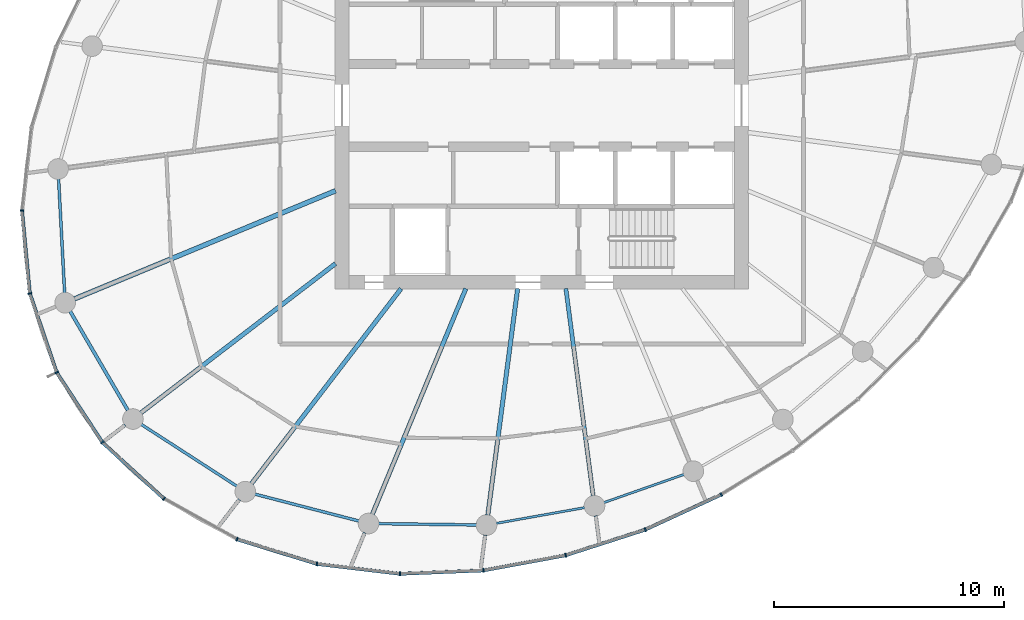
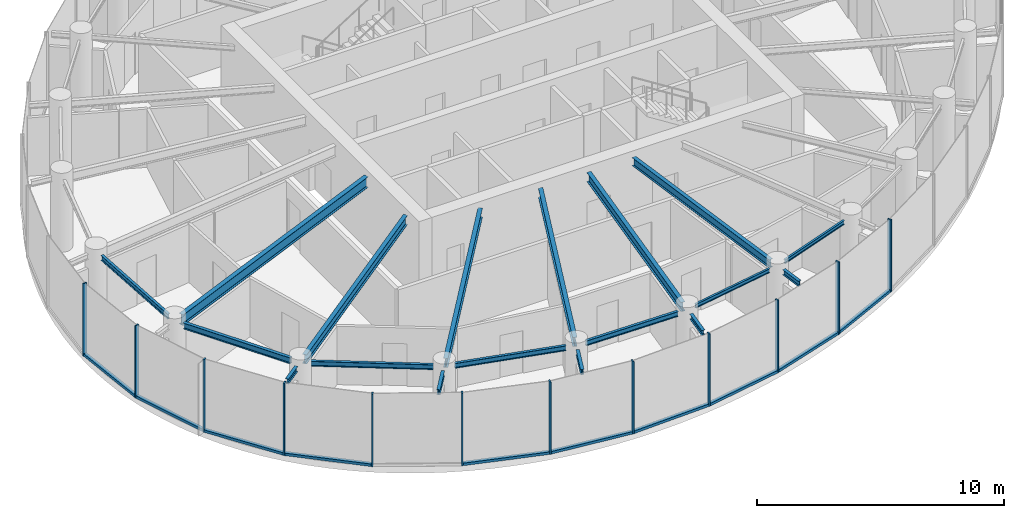
# One storey, part 2 of 15: 22 members, 18 beams, 3 elements without a shape of their own.
"""IFC4 building model written with IfcOpenShell, lengths in metres."""

from ifc_helpers import new_model, si_unit, direction, frame, origin, origin_2d, place, context, subcontext, project, spatial, rectangle, i_section, extrude, source, transform, mapped, material, layer, layer_set, material_profile, profile_set, type_object, element, aggregate, save


model = new_model("IFC4")

# Units and contexts
model_context = context("Model", 3, precision=1e-05, world=origin(), true_north=direction((0.0, 1.0)))
body_context = subcontext(model_context, "Body", "Model", "MODEL_VIEW")
ifc_project = project(units=[si_unit("LENGTHUNIT", "METRE"), si_unit("AREAUNIT", "SQUARE_METRE"), si_unit("VOLUMEUNIT", "CUBIC_METRE"), si_unit("PLANEANGLEUNIT", "RADIAN"), si_unit("MASSUNIT", "GRAM", prefix="KILO")], contexts=[model_context])

# Site, building, storey
site_placement = place(None, origin())
site = spatial("IfcSite", under=ifc_project, at=site_placement, CompositionType="ELEMENT")
building_placement = place(site_placement, origin())
building = spatial("IfcBuilding", under=site, at=building_placement, Name="Spindrift Exchange Tower", CompositionType="ELEMENT")
storey_placement = place(building_placement, frame((0.0, 0.0, 191.60009765625)))
storey = spatial("IfcBuildingStorey", under=building, at=storey_placement, Name="L46", CompositionType="ELEMENT", Elevation=191.60009765625)

# Beams
ifc_material_1 = material(Name="Steel Grade 300", Category="steel")
ifc_material_profile_1 = material_profile(ifc_material_1, i_section(OverallWidth=0.208984375, OverallDepth=0.528076171875, WebThickness=0.009521484375, FlangeThickness=0.01318359375, FilletRadius=0.013916015625, at=origin_2d()), Name="530UB82.0")
ifc_profile_set_1 = profile_set([ifc_material_profile_1], Name="Steel Grade 300")
beam_type_1 = type_object("IfcBeamType", Name="Floor Beam 530UB82.0 Steel Grade 300", PredefinedType="BEAM", material=ifc_profile_set_1)
shared_shape_1 = source(origin(), body_context, "Body", "SweptSolid", [
    extrude(i_section(OverallWidth=0.208984375, OverallDepth=0.528076171875, WebThickness=0.009521484375, FlangeThickness=0.01318359375, FilletRadius=0.013916015625, at=origin_2d()), origin(), (0.0, 0.0, 1.0), 12.3115234375),
])
beam_1_placement = place(storey_placement, frame((43.0185546875, 44.27978515625, 3.31591796875), z_axis=(-0.923878099838, -0.382686891126, 0.0), x_axis=(0.382686891126, -0.923878099838, 0.0)))
element("IfcBeam", 1, at=beam_1_placement, inside=storey, type_object=beam_type_1, Name="L46 radial beam R14A", PredefinedType="BEAM", context=body_context, shape_type="MappedRepresentation", body=[
    mapped(shared_shape_1, transform((0.0, 0.0, 0.0), scale=1.0)),
])
ifc_material_profile_2 = material_profile(ifc_material_1, i_section(OverallWidth=0.18994140625, OverallDepth=0.4541015625, WebThickness=0.008544921875, FlangeThickness=0.0126953125, FilletRadius=0.013916015625, at=origin_2d()), Name="460UB67.1")
ifc_profile_set_2 = profile_set([ifc_material_profile_2], Name="Steel Grade 300")
beam_type_2 = type_object("IfcBeamType", Name="Floor Beam 460UB67.1 Steel Grade 300", PredefinedType="BEAM", material=ifc_profile_set_2)
shared_shape_2 = source(origin(), body_context, "Body", "SweptSolid", [
    extrude(i_section(OverallWidth=0.18994140625, OverallDepth=0.4541015625, WebThickness=0.008544921875, FlangeThickness=0.0126953125, FilletRadius=0.013916015625, at=origin_2d()), origin(), (0.0, 0.0, 1.0), 10.684814453125),
])
beam_2_placement = place(storey_placement, frame((43.015869140625, 41.106201171875, 3.352783203125), z_axis=(-0.793357316898, -0.608756246559, 0.0), x_axis=(0.608756246559, -0.793357316898, 0.0)))
element("IfcBeam", 2, at=beam_2_placement, inside=storey, type_object=beam_type_2, Name="L46 radial beam R15A", PredefinedType="BEAM", context=body_context, shape_type="MappedRepresentation", body=[
    mapped(shared_shape_2, transform((0.0, 0.0, 0.0), scale=1.0)),
])
shared_shape_3 = source(origin(), body_context, "Body", "SweptSolid", [
    extrude(i_section(OverallWidth=0.18994140625, OverallDepth=0.4541015625, WebThickness=0.008544921875, FlangeThickness=0.0126953125, FilletRadius=0.013916015625, at=origin_2d()), origin(), (0.0, 0.0, 1.0), 10.711181640625),
])
beam_3_placement = place(storey_placement, frame((45.87353515625, 40.015869140625, 3.352783203125), z_axis=(-0.608756401092, -0.793357198322, 0.0), x_axis=(0.793357198322, -0.608756401092, 0.0)))
element("IfcBeam", 3, at=beam_3_placement, inside=storey, type_object=beam_type_2, Name="L46 radial beam R16A", PredefinedType="BEAM", context=body_context, shape_type="MappedRepresentation", body=[
    mapped(shared_shape_3, transform((0.0, 0.0, 0.0), scale=1.0)),
])
shared_shape_4 = source(origin(), body_context, "Body", "SweptSolid", [
    extrude(i_section(OverallWidth=0.18994140625, OverallDepth=0.4541015625, WebThickness=0.008544921875, FlangeThickness=0.0126953125, FilletRadius=0.013916015625, at=origin_2d()), origin(), (0.0, 0.0, 1.0), 10.64111328125),
])
beam_4_placement = place(storey_placement, frame((48.69384765625, 40.0185546875, 3.352783203125), z_axis=(-0.382672627597, -0.923884007919, 0.0), x_axis=(0.923884007919, -0.382672627597, 0.0)))
element("IfcBeam", 4, at=beam_4_placement, inside=storey, type_object=beam_type_2, Name="L46 radial beam R17A", PredefinedType="BEAM", context=body_context, shape_type="MappedRepresentation", body=[
    mapped(shared_shape_4, transform((0.0, 0.0, 0.0), scale=1.0)),
])
shared_shape_5 = source(origin(), body_context, "Body", "SweptSolid", [
    extrude(i_section(OverallWidth=0.18994140625, OverallDepth=0.4541015625, WebThickness=0.008544921875, FlangeThickness=0.0126953125, FilletRadius=0.013916015625, at=origin_2d()), origin(), (0.0, 0.0, 1.0), 9.95703125),
])
beam_5_placement = place(storey_placement, frame((50.949462890625, 40.019775390625, 3.352783203125), z_axis=(-0.130541406635, -0.991442858239, 0.0), x_axis=(0.991442858239, -0.130541406635, 0.0)))
element("IfcBeam", 5, at=beam_5_placement, inside=storey, type_object=beam_type_2, Name="L46 radial beam R18A", PredefinedType="BEAM", context=body_context, shape_type="MappedRepresentation", body=[
    mapped(shared_shape_5, transform((0.0, 0.0, 0.0), scale=1.0)),
])
ifc_material_profile_3 = material_profile(ifc_material_1, i_section(OverallWidth=0.177978515625, OverallDepth=0.403076171875, WebThickness=0.007568359375, FlangeThickness=0.010986328125, FilletRadius=0.013916015625, at=origin_2d()), Name="410UB53.7")
ifc_profile_set_3 = profile_set([ifc_material_profile_3], Name="Steel Grade 300")
beam_type_3 = type_object("IfcBeamType", Name="Floor Beam 410UB53.7 Steel Grade 300", PredefinedType="BEAM", material=ifc_profile_set_3)
shared_shape_6 = source(origin(), body_context, "Body", "SweptSolid", [
    extrude(i_section(OverallWidth=0.177978515625, OverallDepth=0.403076171875, WebThickness=0.007568359375, FlangeThickness=0.010986328125, FilletRadius=0.013916015625, at=origin_2d()), origin(), (0.0, 0.0, 1.0), 9.11376953125),
])
beam_6_placement = place(storey_placement, frame((53.050537109375, 40.019775390625, 3.37841796875), z_axis=(0.130536972606, -0.991443442049, 0.0), x_axis=(0.991443442049, 0.130536972606, 0.0)))
element("IfcBeam", 6, at=beam_6_placement, inside=storey, type_object=beam_type_3, Name="L46 radial beam R19A", PredefinedType="BEAM", context=body_context, shape_type="MappedRepresentation", body=[
    mapped(shared_shape_6, transform((0.0, 0.0, 0.0), scale=1.0)),
])
ifc_material_profile_4 = material_profile(ifc_material_1, i_section(OverallWidth=0.1240234375, OverallDepth=0.248046875, WebThickness=0.0048828125, FlangeThickness=0.008056640625, FilletRadius=0.011962890625, at=origin_2d()), Name="250UB25.7")
ifc_profile_set_4 = profile_set([ifc_material_profile_4], Name="Steel Grade 300")
beam_type_4 = type_object("IfcBeamType", Name="Edge Beam 250UB25.7 Steel Grade 300", PredefinedType="SPANDREL", material=ifc_profile_set_4)
shared_shape_7 = source(origin(), body_context, "Body", "SweptSolid", [
    extrude(i_section(OverallWidth=0.1240234375, OverallDepth=0.248046875, WebThickness=0.0048828125, FlangeThickness=0.008056640625, FilletRadius=0.011962890625, at=origin_2d()), origin(), (0.0, 0.0, 1.0), 4.971435546875),
])
beam_7_placement = place(storey_placement, frame((30.96044921875, 44.797607421875, 3.455810546875), z_axis=(0.053038255124, -0.998592481192, 0.0), x_axis=(0.998592481192, 0.053038255124, 0.0)))
element("IfcBeam", 7, at=beam_7_placement, inside=storey, type_object=beam_type_4, Name="L46 edge beam E13", PredefinedType="SPANDREL", context=body_context, shape_type="MappedRepresentation", body=[
    mapped(shared_shape_7, transform((0.0, 0.0, 0.0), scale=1.0)),
])
ifc_material_profile_5 = material_profile(ifc_material_1, i_section(OverallWidth=0.14892578125, OverallDepth=0.298095703125, WebThickness=0.005615234375, FlangeThickness=0.008056640625, FilletRadius=0.012939453125, at=origin_2d()), Name="310UB32.0")
ifc_profile_set_5 = profile_set([ifc_material_profile_5], Name="Steel Grade 300")
beam_type_5 = type_object("IfcBeamType", Name="Edge Beam 310UB32.0 Steel Grade 300", PredefinedType="SPANDREL", material=ifc_profile_set_5)
shared_shape_8 = source(origin(), body_context, "Body", "SweptSolid", [
    extrude(i_section(OverallWidth=0.14892578125, OverallDepth=0.298095703125, WebThickness=0.005615234375, FlangeThickness=0.008056640625, FilletRadius=0.012939453125, at=origin_2d()), origin(), (0.0, 0.0, 1.0), 5.0009765625),
])
beam_8_placement = place(storey_placement, frame((31.46337890625, 39.0322265625, 3.430908203125), z_axis=(0.503512812094, -0.863987759205, 0.0), x_axis=(0.863987759205, 0.503512812094, 0.0)))
element("IfcBeam", 8, at=beam_8_placement, inside=storey, type_object=beam_type_5, Name="L46 edge beam E14", PredefinedType="SPANDREL", context=body_context, shape_type="MappedRepresentation", body=[
    mapped(shared_shape_8, transform((0.0, 0.0, 0.0), scale=1.0)),
])
shared_shape_9 = source(origin(), body_context, "Body", "SweptSolid", [
    extrude(i_section(OverallWidth=0.1240234375, OverallDepth=0.248046875, WebThickness=0.0048828125, FlangeThickness=0.008056640625, FilletRadius=0.011962890625, at=origin_2d()), origin(), (0.0, 0.0, 1.0), 4.966552734375),
])
beam_9_placement = place(storey_placement, frame((34.55908203125, 34.106689453125, 3.455810546875), z_axis=(0.839802198579, -0.54289250065, 0.0), x_axis=(0.54289250065, 0.839802198579, 0.0)))
element("IfcBeam", 9, at=beam_9_placement, inside=storey, type_object=beam_type_4, Name="L46 edge beam E15", PredefinedType="SPANDREL", context=body_context, shape_type="MappedRepresentation", body=[
    mapped(shared_shape_9, transform((0.0, 0.0, 0.0), scale=1.0)),
])
shared_shape_10 = source(origin(), body_context, "Body", "SweptSolid", [
    extrude(i_section(OverallWidth=0.1240234375, OverallDepth=0.248046875, WebThickness=0.0048828125, FlangeThickness=0.008056640625, FilletRadius=0.011962890625, at=origin_2d()), origin(), (0.0, 0.0, 1.0), 4.682373046875),
])
beam_10_placement = place(storey_placement, frame((39.507568359375, 31.0693359375, 3.455810546875), z_axis=(0.968201586176, -0.250171318352, 0.0), x_axis=(0.250171318352, 0.968201586176, 0.0)))
element("IfcBeam", 10, at=beam_10_placement, inside=storey, type_object=beam_type_4, Name="L46 edge beam E16", PredefinedType="SPANDREL", context=body_context, shape_type="MappedRepresentation", body=[
    mapped(shared_shape_10, transform((0.0, 0.0, 0.0), scale=1.0)),
])
shared_shape_11 = source(origin(), body_context, "Body", "SweptSolid", [
    extrude(i_section(OverallWidth=0.1240234375, OverallDepth=0.248046875, WebThickness=0.0048828125, FlangeThickness=0.008056640625, FilletRadius=0.011962890625, at=origin_2d()), origin(), (0.0, 0.0, 1.0), 4.27685546875),
])
beam_11_placement = place(storey_placement, frame((44.88720703125, 29.78466796875, 3.455810546875), z_axis=(0.999910013527, -0.013415097807, 0.0), x_axis=(0.013415097807, 0.999910013527, 0.0)))
element("IfcBeam", 11, at=beam_11_placement, inside=storey, type_object=beam_type_4, Name="L46 edge beam E17", PredefinedType="SPANDREL", context=body_context, shape_type="MappedRepresentation", body=[
    mapped(shared_shape_11, transform((0.0, 0.0, 0.0), scale=1.0)),
])
ifc_material_profile_6 = material_profile(ifc_material_1, i_section(OverallWidth=0.09912109375, OverallDepth=0.197998046875, WebThickness=0.00439453125, FlangeThickness=0.007080078125, FilletRadius=0.010986328125, at=origin_2d()), Name="200UB18.2")
ifc_profile_set_6 = profile_set([ifc_material_profile_6], Name="Steel Grade 300")
beam_type_6 = type_object("IfcBeamType", Name="Edge Beam 200UB18.2 Steel Grade 300", PredefinedType="SPANDREL", material=ifc_profile_set_6)
shared_shape_12 = source(origin(), body_context, "Body", "SweptSolid", [
    extrude(i_section(OverallWidth=0.09912109375, OverallDepth=0.197998046875, WebThickness=0.00439453125, FlangeThickness=0.007080078125, FilletRadius=0.010986328125, at=origin_2d()), origin(), (0.0, 0.0, 1.0), 3.916259765625),
])
beam_12_placement = place(storey_placement, frame((50.01708984375, 29.796875, 3.48095703125), z_axis=(0.984558687682, 0.175054821441, 0.0), x_axis=(-0.175054821441, 0.984558687682, 0.0)))
element("IfcBeam", 12, at=beam_12_placement, inside=storey, type_object=beam_type_6, Name="L46 edge beam E18", PredefinedType="SPANDREL", context=body_context, shape_type="MappedRepresentation", body=[
    mapped(shared_shape_12, transform((0.0, 0.0, 0.0), scale=1.0)),
])
shared_shape_13 = source(origin(), body_context, "Body", "SweptSolid", [
    extrude(i_section(OverallWidth=0.09912109375, OverallDepth=0.197998046875, WebThickness=0.00439453125, FlangeThickness=0.007080078125, FilletRadius=0.010986328125, at=origin_2d()), origin(), (0.0, 0.0, 1.0), 3.700439453125),
])
beam_13_placement = place(storey_placement, frame((54.701904296875, 30.699951171875, 3.48095703125), z_axis=(0.943515334916, 0.331328858957, 0.0), x_axis=(-0.331328858957, 0.943515334916, 0.0)))
element("IfcBeam", 13, at=beam_13_placement, inside=storey, type_object=beam_type_6, Name="L46 edge beam E19", PredefinedType="SPANDREL", context=body_context, shape_type="MappedRepresentation", body=[
    mapped(shared_shape_13, transform((0.0, 0.0, 0.0), scale=1.0)),
])
ifc_material_profile_7 = material_profile(ifc_material_1, i_section(OverallWidth=0.14599609375, OverallDepth=0.251953125, WebThickness=0.006103515625, FlangeThickness=0.008544921875, FilletRadius=0.011962890625, at=origin_2d()), Name="250UB31.4")
ifc_profile_set_7 = profile_set([ifc_material_profile_7], Name="Steel Grade 300")
beam_type_7 = type_object("IfcBeamType", Name="Cantilever Beam 250UB31.4 Steel Grade 300", PredefinedType="BEAM", material=ifc_profile_set_7)
shared_shape_14 = source(origin(), body_context, "Body", "SweptSolid", [
    extrude(i_section(OverallWidth=0.14599609375, OverallDepth=0.251953125, WebThickness=0.006103515625, FlangeThickness=0.008544921875, FilletRadius=0.011962890625, at=origin_2d()), origin(), (0.0, 0.0, 1.0), 0.99755859375),
])
beam_14_placement = place(storey_placement, frame((33.856689453125, 34.078125, 3.453857421875), z_axis=(-0.793433010347, -0.608657586901, 0.0), x_axis=(0.608657586901, -0.793433010347, 0.0)))
element("IfcBeam", 14, at=beam_14_placement, inside=storey, type_object=beam_type_7, Name="L46 cantilever beam R15T", PredefinedType="BEAM", context=body_context, shape_type="MappedRepresentation", body=[
    mapped(shared_shape_14, transform((0.0, 0.0, 0.0), scale=1.0)),
])
shared_shape_15 = source(origin(), body_context, "Body", "SweptSolid", [
    extrude(i_section(OverallWidth=0.14599609375, OverallDepth=0.251953125, WebThickness=0.006103515625, FlangeThickness=0.008544921875, FilletRadius=0.011962890625, at=origin_2d()), origin(), (0.0, 0.0, 1.0), 1.376220703125),
])
beam_15_placement = place(storey_placement, frame((38.829345703125, 30.835693359375, 3.453857421875), z_axis=(-0.608707125494, -0.793395005891, 0.0), x_axis=(0.793395005891, -0.608707125494, 0.0)))
element("IfcBeam", 15, at=beam_15_placement, inside=storey, type_object=beam_type_7, Name="L46 cantilever beam R16T", PredefinedType="BEAM", context=body_context, shape_type="MappedRepresentation", body=[
    mapped(shared_shape_15, transform((0.0, 0.0, 0.0), scale=1.0)),
])
shared_shape_16 = source(origin(), body_context, "Body", "SweptSolid", [
    extrude(i_section(OverallWidth=0.14599609375, OverallDepth=0.251953125, WebThickness=0.006103515625, FlangeThickness=0.008544921875, FilletRadius=0.011962890625, at=origin_2d()), origin(), (0.0, 0.0, 1.0), 1.442626953125),
])
beam_16_placement = place(storey_placement, frame((44.292724609375, 29.39306640625, 3.453857421875), z_axis=(-0.382655720012, -0.923891010857, 0.0), x_axis=(0.923891010857, -0.382655720012, 0.0)))
element("IfcBeam", 16, at=beam_16_placement, inside=storey, type_object=beam_type_7, Name="L46 cantilever beam R17T", PredefinedType="BEAM", context=body_context, shape_type="MappedRepresentation", body=[
    mapped(shared_shape_16, transform((0.0, 0.0, 0.0), scale=1.0)),
])
shared_shape_17 = source(origin(), body_context, "Body", "SweptSolid", [
    extrude(i_section(OverallWidth=0.14599609375, OverallDepth=0.251953125, WebThickness=0.006103515625, FlangeThickness=0.008544921875, FilletRadius=0.011962890625, at=origin_2d()), origin(), (0.0, 0.0, 1.0), 1.288818359375),
])
beam_17_placement = place(storey_placement, frame((49.53759765625, 29.29541015625, 3.453857421875), z_axis=(-0.130699503267, -0.991422029131, 0.0), x_axis=(0.991422029131, -0.130699503267, 0.0)))
element("IfcBeam", 17, at=beam_17_placement, inside=storey, type_object=beam_type_7, Name="L46 cantilever beam R18T", PredefinedType="BEAM", context=body_context, shape_type="MappedRepresentation", body=[
    mapped(shared_shape_17, transform((0.0, 0.0, 0.0), scale=1.0)),
])
shared_shape_18 = source(origin(), body_context, "Body", "SweptSolid", [
    extrude(i_section(OverallWidth=0.14599609375, OverallDepth=0.251953125, WebThickness=0.006103515625, FlangeThickness=0.008544921875, FilletRadius=0.011962890625, at=origin_2d()), origin(), (0.0, 0.0, 1.0), 1.050048828125),
])
beam_18_placement = place(storey_placement, frame((54.3525390625, 30.131103515625, 3.453857421875), z_axis=(0.13044248305, -0.9914558783, 0.0), x_axis=(0.9914558783, 0.13044248305, 0.0)))
element("IfcBeam", 18, at=beam_18_placement, inside=storey, type_object=beam_type_7, Name="L46 cantilever beam R19T", PredefinedType="BEAM", context=body_context, shape_type="MappedRepresentation", body=[
    mapped(shared_shape_18, transform((0.0, 0.0, 0.0), scale=1.0)),
])

# Curtain wall, members
ifc_material_2 = material(Name="Fritted laminated glass with bronze frame", Category="glass")
ifc_layer = layer(ifc_material_2, 0.169921875)
ifc_layer_set = layer_set([ifc_layer], Name="ZONE 4 BRONZE FRITTED WALL")
curtain_wall_type = type_object("IfcCurtainWallType", Name="ZONE 4 BRONZE FRITTED WALL", PredefinedType="NOTDEFINED", material=ifc_layer_set)
curtain_wall_1_placement = place(storey_placement, origin())
curtain_wall_1 = element("IfcCurtainWall", 19, at=curtain_wall_1_placement, inside=storey, type_object=curtain_wall_type, Name="L46 Zone 4 Bronze Fritted Wall run 3", PredefinedType="NOTDEFINED")
ifc_material_3 = material(Name="Bronze anodised aluminium", Category="aluminium")
ifc_material_profile_8 = material_profile(ifc_material_3, rectangle(XDim=0.06494140625, YDim=0.169921875, at=origin_2d()), Name="ZONE 4 BRONZE FRITTED WALL MULLION 65X170")
ifc_profile_set_8 = profile_set([ifc_material_profile_8], Name="Bronze anodised aluminium")
member_type_1 = type_object("IfcMemberType", Name="ZONE 4 BRONZE FRITTED WALL MULLION 65X170", PredefinedType="MULLION", material=ifc_profile_set_8)
shared_shape_19 = source(origin(), body_context, "Body", "SweptSolid", [
    extrude(rectangle(XDim=0.06494140625, YDim=0.169921875, at=origin_2d()), origin(), (0.0, 0.0, 1.0), 3.579833984375),
])
member_1_placement = place(storey_placement, frame((29.36572265625, 43.429931640625, 0.0), z_axis=(0.0, 0.0, 1.0), x_axis=(-0.009784561709, -0.99995213003, 0.0)))
member_1 = element("IfcMember", 20, at=member_1_placement, type_object=member_type_1, Name="L46 mullion CW-4.17", PredefinedType="MULLION", context=body_context, shape_type="MappedRepresentation", body=[
    mapped(shared_shape_19, transform((0.0, 0.0, 0.0), scale=1.0)),
])
member_2_placement = place(storey_placement, frame((29.70751953125, 39.80859375, 0.0), z_axis=(0.0, 0.0, 1.0), x_axis=(0.209453405417, -0.977818628867, 0.0)))
member_2 = element("IfcMember", 21, at=member_2_placement, type_object=member_type_1, Name="L46 mullion CW-4.18", PredefinedType="MULLION", context=body_context, shape_type="MappedRepresentation", body=[
    mapped(shared_shape_19, transform((0.0, 0.0, 0.0), scale=1.0)),
])

curtain_wall_2_placement = place(storey_placement, origin())
curtain_wall_2 = element("IfcCurtainWall", 22, at=curtain_wall_2_placement, inside=storey, type_object=curtain_wall_type, Name="L46 Zone 4 Bronze Fritted Wall run 4", PredefinedType="NOTDEFINED")
member_3_placement = place(storey_placement, frame((30.87841796875, 36.36669921875, 0.0), z_axis=(0.0, 0.0, 1.0), x_axis=(0.438051423007, -0.898949915624, 0.0)))
member_3 = element("IfcMember", 23, at=member_3_placement, type_object=member_type_1, Name="L46 mullion CW-4.19", PredefinedType="MULLION", context=body_context, shape_type="MappedRepresentation", body=[
    mapped(shared_shape_19, transform((0.0, 0.0, 0.0), scale=1.0)),
])
member_4_placement = place(storey_placement, frame((32.8671875, 33.323974609375, 0.0), z_axis=(0.0, 0.0, 1.0), x_axis=(0.647546872706, -0.762025621386, 0.0)))
member_4 = element("IfcMember", 24, at=member_4_placement, type_object=member_type_1, Name="L46 mullion CW-4.20", PredefinedType="MULLION", context=body_context, shape_type="MappedRepresentation", body=[
    mapped(shared_shape_19, transform((0.0, 0.0, 0.0), scale=1.0)),
])
member_5_placement = place(storey_placement, frame((35.5498046875, 30.86962890625, 0.0), z_axis=(0.0, 0.0, 1.0), x_axis=(0.811520240082, -0.584324310582, 0.0)))
member_5 = element("IfcMember", 25, at=member_5_placement, type_object=member_type_1, Name="L46 mullion CW-4.21", PredefinedType="MULLION", context=body_context, shape_type="MappedRepresentation", body=[
    mapped(shared_shape_19, transform((0.0, 0.0, 0.0), scale=1.0)),
])
member_6_placement = place(storey_placement, frame((38.7294921875, 29.103271484375, 0.0), z_axis=(0.0, 0.0, 1.0), x_axis=(0.919798509716, -0.392391005916, 0.0)))
member_6 = element("IfcMember", 26, at=member_6_placement, type_object=member_type_1, Name="L46 mullion CW-4.22", PredefinedType="MULLION", context=body_context, shape_type="MappedRepresentation", body=[
    mapped(shared_shape_19, transform((0.0, 0.0, 0.0), scale=1.0)),
])
member_7_placement = place(storey_placement, frame((42.206787109375, 28.030029296875, 0.0), z_axis=(0.0, 0.0, 1.0), x_axis=(0.978283152909, -0.207272942601, 0.0)))
member_7 = element("IfcMember", 27, at=member_7_placement, type_object=member_type_1, Name="L46 mullion CW-4.23", PredefinedType="MULLION", context=body_context, shape_type="MappedRepresentation", body=[
    mapped(shared_shape_19, transform((0.0, 0.0, 0.0), scale=1.0)),
])
member_8_placement = place(storey_placement, frame((45.822021484375, 27.6005859375, 0.0), z_axis=(0.0, 0.0, 1.0), x_axis=(0.999243656471, -0.038885922942, 0.0)))
member_8 = element("IfcMember", 28, at=member_8_placement, type_object=member_type_1, Name="L46 mullion CW-4.24", PredefinedType="MULLION", context=body_context, shape_type="MappedRepresentation", body=[
    mapped(shared_shape_19, transform((0.0, 0.0, 0.0), scale=1.0)),
])

curtain_wall_3_placement = place(storey_placement, origin())
curtain_wall_3 = element("IfcCurtainWall", 29, at=curtain_wall_3_placement, inside=storey, type_object=curtain_wall_type, Name="L46 Zone 4 Bronze Fritted Wall run 5", PredefinedType="NOTDEFINED")
member_9_placement = place(storey_placement, frame((49.46044921875, 27.747802734375, 0.0), z_axis=(0.0, 0.0, 1.0), x_axis=(0.993828301, 0.110929293389, 0.0)))
member_9 = element("IfcMember", 30, at=member_9_placement, type_object=member_type_1, Name="L46 mullion CW-4.25", PredefinedType="MULLION", context=body_context, shape_type="MappedRepresentation", body=[
    mapped(shared_shape_19, transform((0.0, 0.0, 0.0), scale=1.0)),
])
member_10_placement = place(storey_placement, frame((53.04248046875, 28.406494140625, 0.0), z_axis=(0.0, 0.0, 1.0), x_axis=(0.969764234283, 0.244043704909, 0.0)))
member_10 = element("IfcMember", 31, at=member_10_placement, type_object=member_type_1, Name="L46 mullion CW-4.26", PredefinedType="MULLION", context=body_context, shape_type="MappedRepresentation", body=[
    mapped(shared_shape_19, transform((0.0, 0.0, 0.0), scale=1.0)),
])
member_11_placement = place(storey_placement, frame((56.510009765625, 29.52197265625, 0.0), z_axis=(0.0, 0.0, 1.0), x_axis=(0.931642458625, 0.363376291585, 0.0)))
member_11 = element("IfcMember", 32, at=member_11_placement, type_object=member_type_1, Name="L46 mullion CW-4.27", PredefinedType="MULLION", context=body_context, shape_type="MappedRepresentation", body=[
    mapped(shared_shape_19, transform((0.0, 0.0, 0.0), scale=1.0)),
])
member_12_placement = place(storey_placement, frame((59.817138671875, 31.049072265625, 0.0), z_axis=(0.0, 0.0, 1.0), x_axis=(0.881760674572, 0.471697056148, 0.0)))
member_12 = element("IfcMember", 33, at=member_12_placement, type_object=member_type_1, Name="L46 mullion CW-4.28", PredefinedType="MULLION", context=body_context, shape_type="MappedRepresentation", body=[
    mapped(shared_shape_19, transform((0.0, 0.0, 0.0), scale=1.0)),
])
ifc_material_profile_9 = material_profile(ifc_material_3, rectangle(XDim=0.14990234375, YDim=0.125, at=origin_2d()), Name="ZONE 4 BRONZE FRITTED WALL TRANSOM 150X125")
ifc_profile_set_9 = profile_set([ifc_material_profile_9], Name="Bronze anodised aluminium")
member_type_2 = type_object("IfcMemberType", Name="ZONE 4 BRONZE FRITTED WALL TRANSOM 150X125", PredefinedType="USERDEFINED", material=ifc_profile_set_9)
shared_shape_20 = source(origin(), body_context, "Body", "SweptSolid", [
    extrude(rectangle(XDim=0.14990234375, YDim=0.125, at=origin_2d()), origin(), (0.0, 0.0, 1.0), 3.57763671875),
])
member_13_placement = place(storey_placement, frame((53.073486328125, 28.41650390625, 0.0625), z_axis=(0.951967480088, 0.306199145746, 0.0), x_axis=(-0.306199145746, 0.951967480088, 0.0)))
member_13 = element("IfcMember", 34, at=member_13_placement, type_object=member_type_2, Name="L46 transom CW-4.26", ObjectType="TRANSOM", PredefinedType="USERDEFINED", context=body_context, shape_type="MappedRepresentation", body=[
    mapped(shared_shape_20, transform((0.0, 0.0, 0.0), scale=1.0)),
])
member_14_placement = place(storey_placement, frame((56.53955078125, 29.53564453125, 0.0625), z_axis=(0.90788946559, 0.419209635231, 0.0), x_axis=(-0.419209635231, 0.90788946559, 0.0)))
member_14 = element("IfcMember", 35, at=member_14_placement, type_object=member_type_2, Name="L46 transom CW-4.27", ObjectType="TRANSOM", PredefinedType="USERDEFINED", context=body_context, shape_type="MappedRepresentation", body=[
    mapped(shared_shape_20, transform((0.0, 0.0, 0.0), scale=1.0)),
])
shared_shape_21 = source(origin(), body_context, "Body", "SweptSolid", [
    extrude(rectangle(XDim=0.14990234375, YDim=0.125, at=origin_2d()), origin(), (0.0, 0.0, 1.0), 3.5771484375),
])
member_15_placement = place(storey_placement, frame((49.492431640625, 27.753662109375, 0.0625), z_axis=(0.983507544496, 0.180867105685, 0.0), x_axis=(-0.180867105685, 0.983507544496, 0.0)))
member_15 = element("IfcMember", 36, at=member_15_placement, type_object=member_type_2, Name="L46 transom CW-4.25", ObjectType="TRANSOM", PredefinedType="USERDEFINED", context=body_context, shape_type="MappedRepresentation", body=[
    mapped(shared_shape_21, transform((0.0, 0.0, 0.0), scale=1.0)),
])
aggregate(curtain_wall_3, [member_9, member_15, member_10, member_13, member_11, member_14, member_12])

# Member
shared_shape_22 = source(origin(), body_context, "Body", "SweptSolid", [
    extrude(rectangle(XDim=0.14990234375, YDim=0.125, at=origin_2d()), origin(), (0.0, 0.0, 1.0), 3.575439453125),
])
member_16_placement = place(storey_placement, frame((42.239013671875, 28.026123046875, 0.0625), z_axis=(0.993022773483, -0.117922734636, 0.0), x_axis=(0.117922734636, 0.993022773483, 0.0)))
member_16 = element("IfcMember", 37, at=member_16_placement, type_object=member_type_2, Name="L46 transom CW-4.23", ObjectType="TRANSOM", PredefinedType="USERDEFINED", context=body_context, shape_type="MappedRepresentation", body=[
    mapped(shared_shape_22, transform((0.0, 0.0, 0.0), scale=1.0)),
])

shared_shape_23 = source(origin(), body_context, "Body", "SweptSolid", [
    extrude(rectangle(XDim=0.14990234375, YDim=0.125, at=origin_2d()), origin(), (0.0, 0.0, 1.0), 3.57080078125),
])
member_17_placement = place(storey_placement, frame((32.891357421875, 33.302001953125, 0.0625), z_axis=(0.737792371179, -0.675027715749, 0.0), x_axis=(0.675027715749, 0.737792371179, 0.0)))
member_17 = element("IfcMember", 38, at=member_17_placement, type_object=member_type_2, Name="L46 transom CW-4.20", ObjectType="TRANSOM", PredefinedType="USERDEFINED", context=body_context, shape_type="MappedRepresentation", body=[
    mapped(shared_shape_23, transform((0.0, 0.0, 0.0), scale=1.0)),
])

shared_shape_24 = source(origin(), body_context, "Body", "SweptSolid", [
    extrude(rectangle(XDim=0.14990234375, YDim=0.125, at=origin_2d()), origin(), (0.0, 0.0, 1.0), 3.572509765625),
])
member_18_placement = place(storey_placement, frame((29.36865234375, 43.397705078125, 0.0625), z_axis=(0.093967326493, -0.99557528171, 0.0), x_axis=(0.99557528171, 0.093967326493, 0.0)))
member_18 = element("IfcMember", 39, at=member_18_placement, type_object=member_type_2, Name="L46 transom CW-4.17", ObjectType="TRANSOM", PredefinedType="USERDEFINED", context=body_context, shape_type="MappedRepresentation", body=[
    mapped(shared_shape_24, transform((0.0, 0.0, 0.0), scale=1.0)),
])

shared_shape_25 = source(origin(), body_context, "Body", "SweptSolid", [
    extrude(rectangle(XDim=0.14990234375, YDim=0.125, at=origin_2d()), origin(), (0.0, 0.0, 1.0), 3.5703125),
])
member_19_placement = place(storey_placement, frame((30.896240234375, 36.339599609375, 0.0625), z_axis=(0.547118546117, -0.837055133486, 0.0), x_axis=(0.837055133486, 0.547118546117, 0.0)))
member_19 = element("IfcMember", 40, at=member_19_placement, type_object=member_type_2, Name="L46 transom CW-4.19", ObjectType="TRANSOM", PredefinedType="USERDEFINED", context=body_context, shape_type="MappedRepresentation", body=[
    mapped(shared_shape_25, transform((0.0, 0.0, 0.0), scale=1.0)),
])

shared_shape_26 = source(origin(), body_context, "Body", "SweptSolid", [
    extrude(rectangle(XDim=0.14990234375, YDim=0.125, at=origin_2d()), origin(), (0.0, 0.0, 1.0), 3.57421875),
])
member_20_placement = place(storey_placement, frame((38.760498046875, 29.093505859375, 0.0625), z_axis=(0.955534993722, -0.294877730209, 0.0), x_axis=(0.294877730209, 0.955534993722, 0.0)))
member_20 = element("IfcMember", 41, at=member_20_placement, type_object=member_type_2, Name="L46 transom CW-4.22", ObjectType="TRANSOM", PredefinedType="USERDEFINED", context=body_context, shape_type="MappedRepresentation", body=[
    mapped(shared_shape_26, transform((0.0, 0.0, 0.0), scale=1.0)),
])

shared_shape_27 = source(origin(), body_context, "Body", "SweptSolid", [
    extrude(rectangle(XDim=0.14990234375, YDim=0.125, at=origin_2d()), origin(), (0.0, 0.0, 1.0), 3.576416015625),
])
member_21_placement = place(storey_placement, frame((45.8544921875, 27.601806640625, 0.0625), z_axis=(0.999180326263, 0.040480558412, 0.0), x_axis=(-0.040480558412, 0.999180326263, 0.0)))
member_21 = element("IfcMember", 42, at=member_21_placement, type_object=member_type_2, Name="L46 transom CW-4.24", ObjectType="TRANSOM", PredefinedType="USERDEFINED", context=body_context, shape_type="MappedRepresentation", body=[
    mapped(shared_shape_27, transform((0.0, 0.0, 0.0), scale=1.0)),
])

aggregate(curtain_wall_2, [member_3, member_19, member_4, member_17, member_5, member_6, member_20, member_7, member_16, member_8, member_21])

shared_shape_28 = source(origin(), body_context, "Body", "SweptSolid", [
    extrude(rectangle(XDim=0.14990234375, YDim=0.125, at=origin_2d()), origin(), (0.0, 0.0, 1.0), 3.570556640625),
])
member_22_placement = place(storey_placement, frame((29.7177734375, 39.77783203125, 0.0625), z_axis=(0.322108655835, -0.946702706153, 0.0), x_axis=(0.946702706153, 0.322108655835, 0.0)))
member_22 = element("IfcMember", 43, at=member_22_placement, type_object=member_type_2, Name="L46 transom CW-4.18", ObjectType="TRANSOM", PredefinedType="USERDEFINED", context=body_context, shape_type="MappedRepresentation", body=[
    mapped(shared_shape_28, transform((0.0, 0.0, 0.0), scale=1.0)),
])

aggregate(curtain_wall_1, [member_1, member_18, member_2, member_22])

save(model, "model.ifc")
